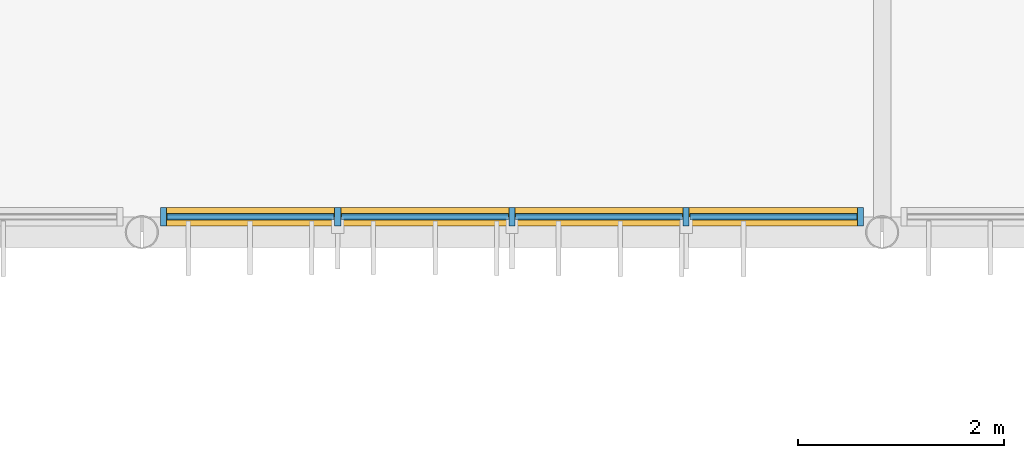
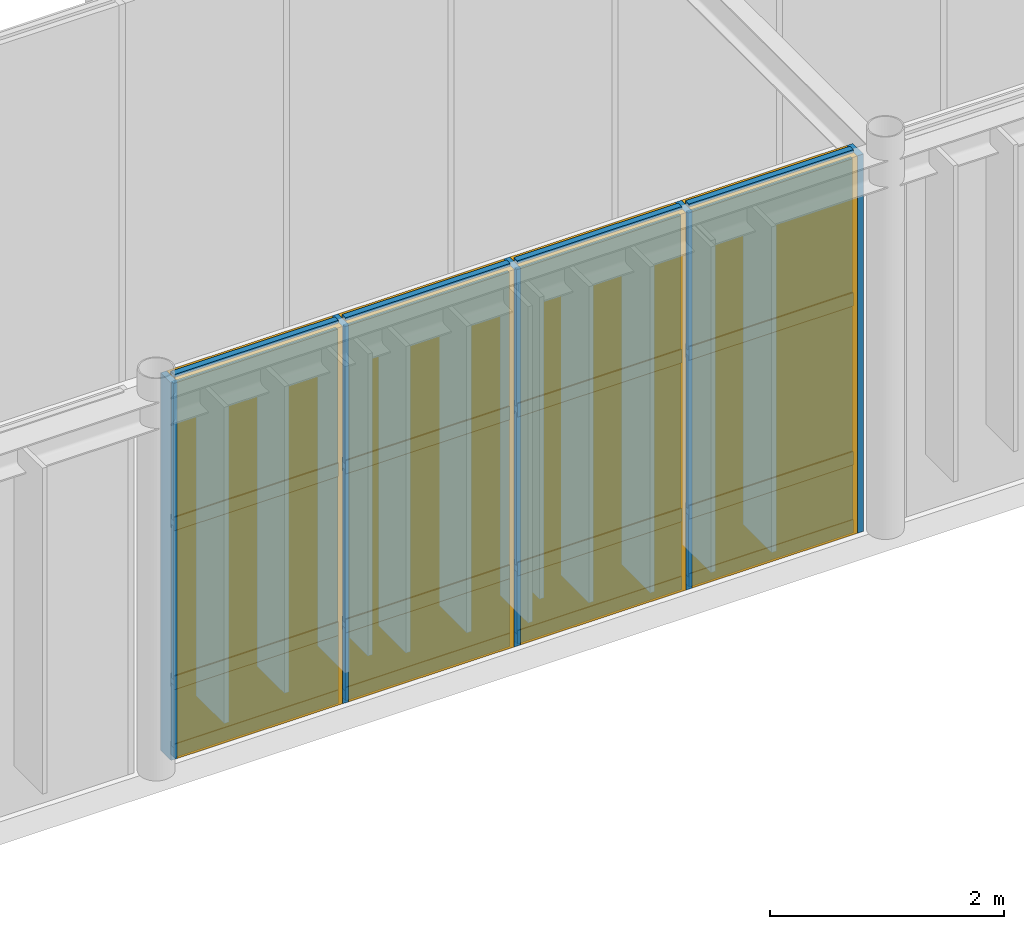
# One storey, part 75 of 122: 21 members, 12 plates, 1 curtain wall.
"""IFC4 building model written with IfcOpenShell, lengths in metres."""

from ifc_helpers import new_model, si_unit, direction, frame, frame_2d, origin, origin_2d, place, context, subcontext, project, spatial, rectangle, extrude, material, layer, layer_set, material_profile, profile_set, type_object, element, aggregate, save


model = new_model("IFC4")

# Units and contexts
model_context = context("Model", 3, precision=1e-05, world=origin(), true_north=direction((0.0, 1.0)))
body_context = subcontext(model_context, "Body", "Model", "MODEL_VIEW")
ifc_project = project(units=[si_unit("LENGTHUNIT", "METRE"), si_unit("AREAUNIT", "SQUARE_METRE"), si_unit("VOLUMEUNIT", "CUBIC_METRE"), si_unit("PLANEANGLEUNIT", "RADIAN"), si_unit("MASSUNIT", "GRAM", prefix="KILO")], contexts=[model_context])

# Member
ifc_material_1 = material(Name="Anodised Bronze Aluminium 6063-T6", Category="aluminium")
ifc_material_profile_1 = material_profile(ifc_material_1, rectangle(XDim=0.06005859375, YDim=0.179931640625, at=origin_2d()), Name="ALU MULLION 60x180")
ifc_profile_set_1 = profile_set([ifc_material_profile_1], Name="Anodised Bronze Aluminium 6063-T6")
member_type_1 = type_object("IfcMemberType", Name="Curtain-Wall Primary Mullion 60x180", PredefinedType="MULLION", material=ifc_profile_set_1)
site_placement = place(None, origin())
building_placement = place(site_placement, origin())
storey_placement = place(building_placement, frame((0.0, 0.0, 4.800048828125)))
member_1_placement = place(storey_placement, frame((43.412109375, 44.75, 0.0), z_axis=(0.0, 0.0, 1.0), x_axis=(1.0, 0.0, 0.0)))
member_1 = element("IfcMember", 1, at=member_1_placement, type_object=member_type_1, Name="Mullion CWM-01 CW-WLNK-S-L01-B3-M01", PredefinedType="MULLION", context=body_context, shape_type="SweptSolid", body=[
    extrude(rectangle(XDim=0.06005859375, YDim=0.179931640625, at=origin_2d()), origin(), (0.0, 0.0, 1.0), 3.93994140625),
])

member_2_placement = place(storey_placement, frame((45.10595703125, 44.75, 0.0), z_axis=(0.0, 0.0, 1.0), x_axis=(1.0, 0.0, 0.0)))
member_2 = element("IfcMember", 2, at=member_2_placement, type_object=member_type_1, Name="Mullion CWM-01 CW-WLNK-S-L01-B3-M02", PredefinedType="MULLION", context=body_context, shape_type="SweptSolid", body=[
    extrude(rectangle(XDim=0.06005859375, YDim=0.179931640625, at=origin_2d()), origin(), (0.0, 0.0, 1.0), 3.93994140625),
])

member_3_placement = place(storey_placement, frame((46.800048828125, 44.75, 0.0), z_axis=(0.0, 0.0, 1.0), x_axis=(1.0, 0.0, 0.0)))
member_3 = element("IfcMember", 3, at=member_3_placement, type_object=member_type_1, Name="Mullion CWM-01 CW-WLNK-S-L01-B3-M03", PredefinedType="MULLION", context=body_context, shape_type="SweptSolid", body=[
    extrude(rectangle(XDim=0.06005859375, YDim=0.179931640625, at=origin_2d()), origin(), (0.0, 0.0, 1.0), 3.93994140625),
])

member_4_placement = place(storey_placement, frame((48.493896484375, 44.75, 0.0), z_axis=(0.0, 0.0, 1.0), x_axis=(1.0, 0.0, 0.0)))
member_4 = element("IfcMember", 4, at=member_4_placement, type_object=member_type_1, Name="Mullion CWM-01 CW-WLNK-S-L01-B3-M04", PredefinedType="MULLION", context=body_context, shape_type="SweptSolid", body=[
    extrude(rectangle(XDim=0.06005859375, YDim=0.179931640625, at=origin_2d()), origin(), (0.0, 0.0, 1.0), 3.93994140625),
])

member_5_placement = place(storey_placement, frame((50.18798828125, 44.75, 0.0), z_axis=(0.0, 0.0, 1.0), x_axis=(1.0, 0.0, 0.0)))
member_5 = element("IfcMember", 5, at=member_5_placement, type_object=member_type_1, Name="Mullion CWM-01 CW-WLNK-S-L01-B3-M05", PredefinedType="MULLION", context=body_context, shape_type="SweptSolid", body=[
    extrude(rectangle(XDim=0.06005859375, YDim=0.179931640625, at=origin_2d()), origin(), (0.0, 0.0, 1.0), 3.93994140625),
])

ifc_material_profile_2 = material_profile(ifc_material_1, rectangle(XDim=0.06005859375, YDim=0.139892578125, at=origin_2d()), Name="ALU TRANSOM 60x140")
ifc_profile_set_2 = profile_set([ifc_material_profile_2], Name="Anodised Bronze Aluminium 6063-T6")
member_type_2 = type_object("IfcMemberType", Name="Curtain-Wall Transom 60x140", PredefinedType="USERDEFINED", material=ifc_profile_set_2)
member_6_placement = place(storey_placement, frame((43.447021484375, 44.75, 0.0400390625), z_axis=(1.0, 0.0, 0.0), x_axis=(0.0, 1.0, 0.0)))
member_6 = element("IfcMember", 6, at=member_6_placement, type_object=member_type_2, Name="Transom CWT-01 CW-WLNK-S-L01-B3-T01.1", ObjectType="TRANSOM", PredefinedType="USERDEFINED", context=body_context, shape_type="SweptSolid", body=[
    extrude(rectangle(XDim=0.06005859375, YDim=0.139892578125, at=origin_2d()), origin(), (0.0, 0.0, 1.0), 1.6240234375),
])

member_7_placement = place(storey_placement, frame((43.447021484375, 44.75, 0.75), z_axis=(1.0, 0.0, 0.0), x_axis=(0.0, 1.0, 0.0)))
member_7 = element("IfcMember", 7, at=member_7_placement, type_object=member_type_2, Name="Transom CWT-01 CW-WLNK-S-L01-B3-T01.2", ObjectType="TRANSOM", PredefinedType="USERDEFINED", context=body_context, shape_type="SweptSolid", body=[
    extrude(rectangle(XDim=0.06005859375, YDim=0.139892578125, at=origin_2d()), origin(), (0.0, 0.0, 1.0), 1.6240234375),
])

member_8_placement = place(storey_placement, frame((43.447021484375, 44.75, 2.40869140625), z_axis=(1.0, 0.0, 0.0), x_axis=(0.0, 1.0, 0.0)))
member_8 = element("IfcMember", 8, at=member_8_placement, type_object=member_type_2, Name="Transom CWT-01 CW-WLNK-S-L01-B3-T01.3", ObjectType="TRANSOM", PredefinedType="USERDEFINED", context=body_context, shape_type="SweptSolid", body=[
    extrude(rectangle(XDim=0.06005859375, YDim=0.139892578125, at=origin_2d()), origin(), (0.0, 0.0, 1.0), 1.6240234375),
])

member_9_placement = place(storey_placement, frame((43.447021484375, 44.75, 3.89990234375), z_axis=(1.0, 0.0, 0.0), x_axis=(0.0, 1.0, 0.0)))
member_9 = element("IfcMember", 9, at=member_9_placement, type_object=member_type_2, Name="Transom CWT-01 CW-WLNK-S-L01-B3-T01.4", ObjectType="TRANSOM", PredefinedType="USERDEFINED", context=body_context, shape_type="SweptSolid", body=[
    extrude(rectangle(XDim=0.06005859375, YDim=0.139892578125, at=origin_2d()), origin(), (0.0, 0.0, 1.0), 1.6240234375),
])

member_10_placement = place(storey_placement, frame((45.14111328125, 44.75, 0.0400390625), z_axis=(1.0, 0.0, 0.0), x_axis=(0.0, 1.0, 0.0)))
member_10 = element("IfcMember", 10, at=member_10_placement, type_object=member_type_2, Name="Transom CWT-01 CW-WLNK-S-L01-B3-T02.1", ObjectType="TRANSOM", PredefinedType="USERDEFINED", context=body_context, shape_type="SweptSolid", body=[
    extrude(rectangle(XDim=0.06005859375, YDim=0.139892578125, at=origin_2d()), origin(), (0.0, 0.0, 1.0), 1.623779296875),
])

member_11_placement = place(storey_placement, frame((45.14111328125, 44.75, 0.75), z_axis=(1.0, 0.0, 0.0), x_axis=(0.0, 1.0, 0.0)))
member_11 = element("IfcMember", 11, at=member_11_placement, type_object=member_type_2, Name="Transom CWT-01 CW-WLNK-S-L01-B3-T02.2", ObjectType="TRANSOM", PredefinedType="USERDEFINED", context=body_context, shape_type="SweptSolid", body=[
    extrude(rectangle(XDim=0.06005859375, YDim=0.139892578125, at=origin_2d()), origin(), (0.0, 0.0, 1.0), 1.623779296875),
])

member_12_placement = place(storey_placement, frame((45.14111328125, 44.75, 2.40869140625), z_axis=(1.0, 0.0, 0.0), x_axis=(0.0, 1.0, 0.0)))
member_12 = element("IfcMember", 12, at=member_12_placement, type_object=member_type_2, Name="Transom CWT-01 CW-WLNK-S-L01-B3-T02.3", ObjectType="TRANSOM", PredefinedType="USERDEFINED", context=body_context, shape_type="SweptSolid", body=[
    extrude(rectangle(XDim=0.06005859375, YDim=0.139892578125, at=origin_2d()), origin(), (0.0, 0.0, 1.0), 1.623779296875),
])

member_13_placement = place(storey_placement, frame((45.14111328125, 44.75, 3.89990234375), z_axis=(1.0, 0.0, 0.0), x_axis=(0.0, 1.0, 0.0)))
member_13 = element("IfcMember", 13, at=member_13_placement, type_object=member_type_2, Name="Transom CWT-01 CW-WLNK-S-L01-B3-T02.4", ObjectType="TRANSOM", PredefinedType="USERDEFINED", context=body_context, shape_type="SweptSolid", body=[
    extrude(rectangle(XDim=0.06005859375, YDim=0.139892578125, at=origin_2d()), origin(), (0.0, 0.0, 1.0), 1.623779296875),
])

member_14_placement = place(storey_placement, frame((46.8349609375, 44.75, 0.0400390625), z_axis=(1.0, 0.0, 0.0), x_axis=(0.0, 1.0, 0.0)))
member_14 = element("IfcMember", 14, at=member_14_placement, type_object=member_type_2, Name="Transom CWT-01 CW-WLNK-S-L01-B3-T03.1", ObjectType="TRANSOM", PredefinedType="USERDEFINED", context=body_context, shape_type="SweptSolid", body=[
    extrude(rectangle(XDim=0.06005859375, YDim=0.139892578125, at=origin_2d()), origin(), (0.0, 0.0, 1.0), 1.6240234375),
])

member_15_placement = place(storey_placement, frame((46.8349609375, 44.75, 0.75), z_axis=(1.0, 0.0, 0.0), x_axis=(0.0, 1.0, 0.0)))
member_15 = element("IfcMember", 15, at=member_15_placement, type_object=member_type_2, Name="Transom CWT-01 CW-WLNK-S-L01-B3-T03.2", ObjectType="TRANSOM", PredefinedType="USERDEFINED", context=body_context, shape_type="SweptSolid", body=[
    extrude(rectangle(XDim=0.06005859375, YDim=0.139892578125, at=origin_2d()), origin(), (0.0, 0.0, 1.0), 1.6240234375),
])

member_16_placement = place(storey_placement, frame((46.8349609375, 44.75, 2.40869140625), z_axis=(1.0, 0.0, 0.0), x_axis=(0.0, 1.0, 0.0)))
member_16 = element("IfcMember", 16, at=member_16_placement, type_object=member_type_2, Name="Transom CWT-01 CW-WLNK-S-L01-B3-T03.3", ObjectType="TRANSOM", PredefinedType="USERDEFINED", context=body_context, shape_type="SweptSolid", body=[
    extrude(rectangle(XDim=0.06005859375, YDim=0.139892578125, at=origin_2d()), origin(), (0.0, 0.0, 1.0), 1.6240234375),
])

member_17_placement = place(storey_placement, frame((46.8349609375, 44.75, 3.89990234375), z_axis=(1.0, 0.0, 0.0), x_axis=(0.0, 1.0, 0.0)))
member_17 = element("IfcMember", 17, at=member_17_placement, type_object=member_type_2, Name="Transom CWT-01 CW-WLNK-S-L01-B3-T03.4", ObjectType="TRANSOM", PredefinedType="USERDEFINED", context=body_context, shape_type="SweptSolid", body=[
    extrude(rectangle(XDim=0.06005859375, YDim=0.139892578125, at=origin_2d()), origin(), (0.0, 0.0, 1.0), 1.6240234375),
])

member_18_placement = place(storey_placement, frame((48.529052734375, 44.75, 0.0400390625), z_axis=(1.0, 0.0, 0.0), x_axis=(0.0, 1.0, 0.0)))
member_18 = element("IfcMember", 18, at=member_18_placement, type_object=member_type_2, Name="Transom CWT-01 CW-WLNK-S-L01-B3-T04.1", ObjectType="TRANSOM", PredefinedType="USERDEFINED", context=body_context, shape_type="SweptSolid", body=[
    extrude(rectangle(XDim=0.06005859375, YDim=0.139892578125, at=origin_2d()), origin(), (0.0, 0.0, 1.0), 1.6240234375),
])

member_19_placement = place(storey_placement, frame((48.529052734375, 44.75, 0.75), z_axis=(1.0, 0.0, 0.0), x_axis=(0.0, 1.0, 0.0)))
member_19 = element("IfcMember", 19, at=member_19_placement, type_object=member_type_2, Name="Transom CWT-01 CW-WLNK-S-L01-B3-T04.2", ObjectType="TRANSOM", PredefinedType="USERDEFINED", context=body_context, shape_type="SweptSolid", body=[
    extrude(rectangle(XDim=0.06005859375, YDim=0.139892578125, at=origin_2d()), origin(), (0.0, 0.0, 1.0), 1.6240234375),
])

member_20_placement = place(storey_placement, frame((48.529052734375, 44.75, 2.40869140625), z_axis=(1.0, 0.0, 0.0), x_axis=(0.0, 1.0, 0.0)))
member_20 = element("IfcMember", 20, at=member_20_placement, type_object=member_type_2, Name="Transom CWT-01 CW-WLNK-S-L01-B3-T04.3", ObjectType="TRANSOM", PredefinedType="USERDEFINED", context=body_context, shape_type="SweptSolid", body=[
    extrude(rectangle(XDim=0.06005859375, YDim=0.139892578125, at=origin_2d()), origin(), (0.0, 0.0, 1.0), 1.6240234375),
])

member_21_placement = place(storey_placement, frame((48.529052734375, 44.75, 3.89990234375), z_axis=(1.0, 0.0, 0.0), x_axis=(0.0, 1.0, 0.0)))
member_21 = element("IfcMember", 21, at=member_21_placement, type_object=member_type_2, Name="Transom CWT-01 CW-WLNK-S-L01-B3-T04.4", ObjectType="TRANSOM", PredefinedType="USERDEFINED", context=body_context, shape_type="SweptSolid", body=[
    extrude(rectangle(XDim=0.06005859375, YDim=0.139892578125, at=origin_2d()), origin(), (0.0, 0.0, 1.0), 1.6240234375),
])

# Plate
ifc_material_2 = material(Name="Insulated Bronze Aluminium Spandrel Panel", Category="aluminium")
ifc_layer_1 = layer(ifc_material_2, 0.050048828125, Name="Insulated Bronze Aluminium Spandrel Panel")
ifc_layer_set_1 = layer_set([ifc_layer_1], Name="Insulated Bronze Aluminium Spandrel Panel")
plate_type_1 = type_object("IfcPlateType", Name="Insulated Anodised Aluminium Spandrel Cassette 50", PredefinedType="CURTAIN_PANEL", material=ifc_layer_set_1)
plate_1_placement = place(storey_placement, frame((44.259033203125, 44.75, 0.070068359375), z_axis=(0.0, 0.0, 1.0), x_axis=(1.0, 0.0, 0.0)))
plate_1 = element("IfcPlate", 22, at=plate_1_placement, type_object=plate_type_1, Name="Curtain Panel CWP-03 CW-WLNK-S-L01-B3-P01.1", PredefinedType="CURTAIN_PANEL", context=body_context, shape_type="SweptSolid", body=[
    extrude(rectangle(XDim=1.6240234375, YDim=0.050048828125, at=origin_2d()), origin(), (0.0, 0.0, 1.0), 0.64990234375),
])

plate_2_placement = place(storey_placement, frame((45.952880859375, 44.75, 0.070068359375), z_axis=(0.0, 0.0, 1.0), x_axis=(1.0, 0.0, 0.0)))
plate_2 = element("IfcPlate", 23, at=plate_2_placement, type_object=plate_type_1, Name="Curtain Panel CWP-03 CW-WLNK-S-L01-B3-P02.1", PredefinedType="CURTAIN_PANEL", context=body_context, shape_type="SweptSolid", body=[
    extrude(rectangle(XDim=1.6240234375, YDim=0.050048828125, at=origin_2d()), origin(), (0.0, 0.0, 1.0), 0.64990234375),
])

plate_3_placement = place(storey_placement, frame((47.64697265625, 44.75, 0.070068359375), z_axis=(0.0, 0.0, 1.0), x_axis=(1.0, 0.0, 0.0)))
plate_3 = element("IfcPlate", 24, at=plate_3_placement, type_object=plate_type_1, Name="Curtain Panel CWP-03 CW-WLNK-S-L01-B3-P03.1", PredefinedType="CURTAIN_PANEL", context=body_context, shape_type="SweptSolid", body=[
    extrude(rectangle(XDim=1.6240234375, YDim=0.050048828125, at=origin_2d()), origin(), (0.0, 0.0, 1.0), 0.64990234375),
])

plate_4_placement = place(storey_placement, frame((49.341064453125, 44.75, 0.070068359375), z_axis=(0.0, 0.0, 1.0), x_axis=(1.0, 0.0, 0.0)))
plate_4 = element("IfcPlate", 25, at=plate_4_placement, type_object=plate_type_1, Name="Curtain Panel CWP-03 CW-WLNK-S-L01-B3-P04.1", PredefinedType="CURTAIN_PANEL", context=body_context, shape_type="SweptSolid", body=[
    extrude(rectangle(XDim=1.6240234375, YDim=0.050048828125, at=origin_2d()), origin(), (0.0, 0.0, 1.0), 0.64990234375),
])

ifc_material_3 = material(Name="Solar-Control Tempered Double Glazing", Category="glass")
ifc_layer_2 = layer(ifc_material_3, 0.0380859375, Name="Solar-Control Tempered Double Glazing")
ifc_layer_set_2 = layer_set([ifc_layer_2], Name="Solar-Control Tempered Double Glazing")
plate_type_2 = type_object("IfcPlateType", Name="Solar-Control Vision Glazing Unit 38", PredefinedType="CURTAIN_PANEL", material=ifc_layer_set_2)
plate_5_placement = place(storey_placement, frame((44.259033203125, 44.75, 0.77978515625), z_axis=(0.0, 0.0, 1.0), x_axis=(1.0, 0.0, 0.0)))
plate_5 = element("IfcPlate", 26, at=plate_5_placement, type_object=plate_type_2, Name="Curtain Panel CWP-02 CW-WLNK-S-L01-B3-P01.2", PredefinedType="CURTAIN_PANEL", context=body_context, shape_type="SweptSolid", body=[
    extrude(rectangle(XDim=1.6240234375, YDim=0.0380859375, at=origin_2d()), origin(), (0.0, 0.0, 1.0), 1.598876953125),
])

plate_6_placement = place(storey_placement, frame((44.259033203125, 44.75, 2.438720703125), z_axis=(0.0, 0.0, 1.0), x_axis=(1.0, 0.0, 0.0)))
plate_6 = element("IfcPlate", 27, at=plate_6_placement, type_object=plate_type_2, Name="Curtain Panel CWP-02 CW-WLNK-S-L01-B3-P01.3", PredefinedType="CURTAIN_PANEL", context=body_context, shape_type="SweptSolid", body=[
    extrude(rectangle(XDim=1.6240234375, YDim=0.0380859375, at=origin_2d()), origin(), (0.0, 0.0, 1.0), 1.43115234375),
])

plate_7_placement = place(storey_placement, frame((45.952880859375, 44.75, 0.77978515625), z_axis=(0.0, 0.0, 1.0), x_axis=(1.0, 0.0, 0.0)))
plate_7 = element("IfcPlate", 28, at=plate_7_placement, type_object=plate_type_2, Name="Curtain Panel CWP-02 CW-WLNK-S-L01-B3-P02.2", PredefinedType="CURTAIN_PANEL", context=body_context, shape_type="SweptSolid", body=[
    extrude(rectangle(XDim=1.6240234375, YDim=0.0380859375, at=origin_2d()), origin(), (0.0, 0.0, 1.0), 1.598876953125),
])

plate_8_placement = place(storey_placement, frame((45.952880859375, 44.75, 2.438720703125), z_axis=(0.0, 0.0, 1.0), x_axis=(1.0, 0.0, 0.0)))
plate_8 = element("IfcPlate", 29, at=plate_8_placement, type_object=plate_type_2, Name="Curtain Panel CWP-02 CW-WLNK-S-L01-B3-P02.3", PredefinedType="CURTAIN_PANEL", context=body_context, shape_type="SweptSolid", body=[
    extrude(rectangle(XDim=1.6240234375, YDim=0.0380859375, at=origin_2d()), origin(), (0.0, 0.0, 1.0), 1.43115234375),
])

plate_9_placement = place(storey_placement, frame((47.64697265625, 44.75, 0.77978515625), z_axis=(0.0, 0.0, 1.0), x_axis=(1.0, 0.0, 0.0)))
plate_9 = element("IfcPlate", 30, at=plate_9_placement, type_object=plate_type_2, Name="Curtain Panel CWP-02 CW-WLNK-S-L01-B3-P03.2", PredefinedType="CURTAIN_PANEL", context=body_context, shape_type="SweptSolid", body=[
    extrude(rectangle(XDim=1.6240234375, YDim=0.0380859375, at=origin_2d()), origin(), (0.0, 0.0, 1.0), 1.598876953125),
])

plate_10_placement = place(storey_placement, frame((47.64697265625, 44.75, 2.438720703125), z_axis=(0.0, 0.0, 1.0), x_axis=(1.0, 0.0, 0.0)))
plate_10 = element("IfcPlate", 31, at=plate_10_placement, type_object=plate_type_2, Name="Curtain Panel CWP-02 CW-WLNK-S-L01-B3-P03.3", PredefinedType="CURTAIN_PANEL", context=body_context, shape_type="SweptSolid", body=[
    extrude(rectangle(XDim=1.6240234375, YDim=0.0380859375, at=origin_2d()), origin(), (0.0, 0.0, 1.0), 1.43115234375),
])

plate_11_placement = place(storey_placement, frame((49.341064453125, 44.75, 0.77978515625), z_axis=(0.0, 0.0, 1.0), x_axis=(1.0, 0.0, 0.0)))
plate_11 = element("IfcPlate", 32, at=plate_11_placement, type_object=plate_type_2, Name="Curtain Panel CWP-02 CW-WLNK-S-L01-B3-P04.2", PredefinedType="CURTAIN_PANEL", context=body_context, shape_type="SweptSolid", body=[
    extrude(rectangle(XDim=1.6240234375, YDim=0.0380859375, at=origin_2d()), origin(), (0.0, 0.0, 1.0), 1.598876953125),
])

plate_12_placement = place(storey_placement, frame((49.341064453125, 44.75, 2.438720703125), z_axis=(0.0, 0.0, 1.0), x_axis=(1.0, 0.0, 0.0)))
plate_12 = element("IfcPlate", 33, at=plate_12_placement, type_object=plate_type_2, Name="Curtain Panel CWP-02 CW-WLNK-S-L01-B3-P04.3", PredefinedType="CURTAIN_PANEL", context=body_context, shape_type="SweptSolid", body=[
    extrude(rectangle(XDim=1.6240234375, YDim=0.0380859375, at=origin_2d()), origin(), (0.0, 0.0, 1.0), 1.43115234375),
])

# Site, building, storey
site = spatial("IfcSite", under=ifc_project, at=site_placement, CompositionType="ELEMENT")
building = spatial("IfcBuilding", under=site, at=building_placement, Name="Tazoul Stagehouse", CompositionType="ELEMENT")
storey = spatial("IfcBuildingStorey", under=building, at=storey_placement, Name="L01", CompositionType="ELEMENT", Elevation=4.800048828125)

# Curtain wall
curtain_wall_type = type_object("IfcCurtainWallType", Name="Foyer Clear Solar-Control Curtain Wall", PredefinedType="NOTDEFINED", material=ifc_material_1)
curtain_wall_placement = place(storey_placement, frame((43.412109375, 44.75, 0.0), z_axis=(0.0, 0.0, 1.0), x_axis=(1.0, 0.0, 0.0)))
curtain_wall = element("IfcCurtainWall", 34, at=curtain_wall_placement, inside=storey, type_object=curtain_wall_type, Name="L01 Curtain Wall CW-02 (CW-WLNK-S-L01-B3)", PredefinedType="NOTDEFINED", context=body_context, shape_type="SweptSolid", body=[
    extrude(rectangle(XDim=6.77587890625, YDim=0.179931640625, at=frame_2d((3.387939453125, 0.0))), origin(), (0.0, 0.0, 1.0), 3.93994140625),
])

aggregate(curtain_wall, [member_1, member_2, member_3, member_4, member_5, member_6, member_7, member_8, member_9, plate_1, plate_5, plate_6, member_10, member_11, member_12, member_13, plate_2, plate_7, plate_8, member_14, member_15, member_16, member_17, plate_3, plate_9, plate_10, member_18, member_19, member_20, member_21, plate_4, plate_11, plate_12])

save(model, "model.ifc")
